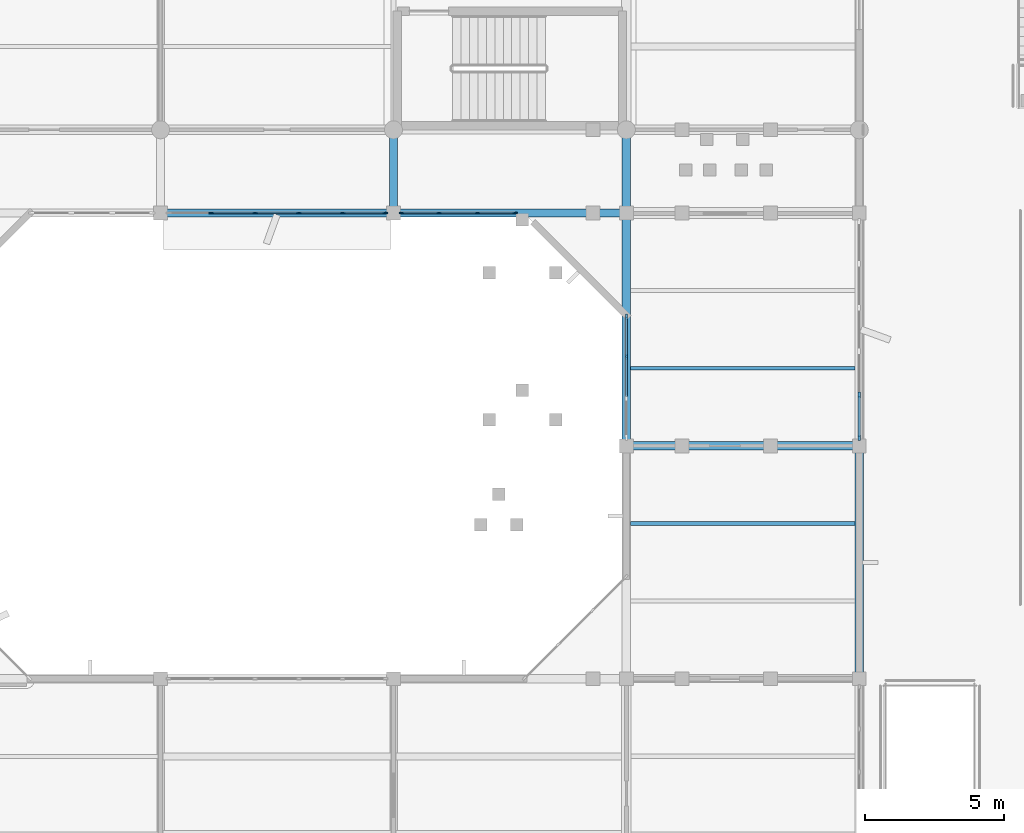
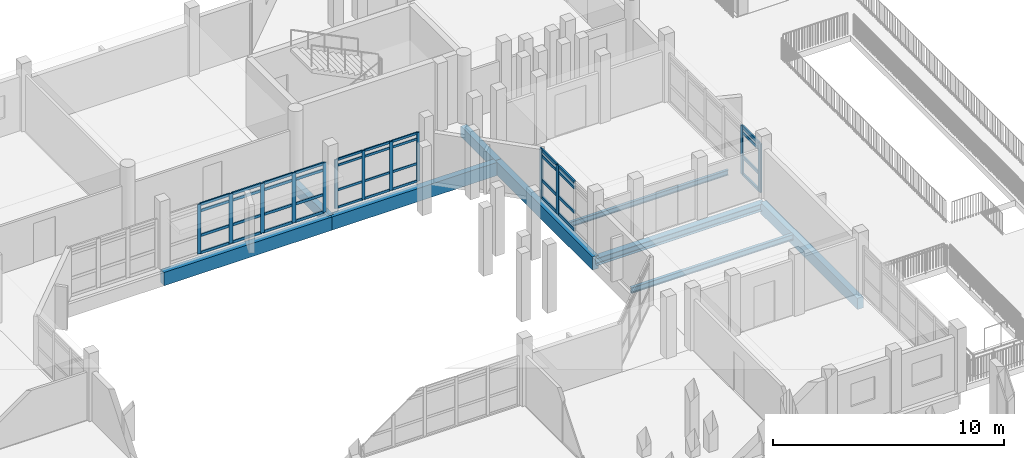
# One storey, part 20 of 104: 53 members, 9 beams, 4 elements without a shape of their own.
"""IFC4 building model written with IfcOpenShell, lengths in metres."""

from ifc_helpers import new_model, si_unit, direction, frame, origin, origin_2d, place, context, subcontext, project, spatial, rectangle, i_section, extrude, material, material_profile, profile_set, type_object, element, aggregate, save


model = new_model("IFC4")

# Units and contexts
model_context = context("Model", 3, precision=1e-05, world=origin(), true_north=direction((0.0, 1.0)))
body_context = subcontext(model_context, "Body", "Model", "MODEL_VIEW")
ifc_project = project(units=[si_unit("LENGTHUNIT", "METRE"), si_unit("AREAUNIT", "SQUARE_METRE"), si_unit("VOLUMEUNIT", "CUBIC_METRE"), si_unit("PLANEANGLEUNIT", "RADIAN"), si_unit("MASSUNIT", "GRAM", prefix="KILO")], contexts=[model_context])

# Site, building, storey
site_placement = place(None, origin())
site = spatial("IfcSite", under=ifc_project, at=site_placement, CompositionType="ELEMENT")
building_placement = place(site_placement, origin())
building = spatial("IfcBuilding", under=site, at=building_placement, Name="Vanh Quang Courtyard School", CompositionType="ELEMENT")
storey_placement = place(building_placement, frame((0.0, 0.0, 4.199951171875)))
storey = spatial("IfcBuildingStorey", under=building, at=storey_placement, Name="L01", CompositionType="ELEMENT", Elevation=4.199951171875)

# Beams
ifc_material_1 = material(Name="Concrete C35/45", Category="concrete")
ifc_material_profile_1 = material_profile(ifc_material_1, rectangle(XDim=0.300048828125, YDim=0.550048828125, at=origin_2d()), Name="RC-BM 300x550")
ifc_profile_set_1 = profile_set([ifc_material_profile_1], Name="Concrete C35/45")
beam_type_1 = type_object("IfcBeamType", Name="BM-RC-300x550", PredefinedType="BEAM", material=ifc_profile_set_1)
for number, where, z_axis, x_axis, name in (
    (1, (102.60009765625, 29.39990234375, -0.554931640625), (0.0, 1.0, 0.0), (-1.0, 0.0, 0.0), "Beam B-07 (L01)"),
    (2, (111.0, 29.39990234375, -0.554931640625), (0.0, 1.0, 0.0), (-1.0, 0.0, 0.0), "Beam B-07 (L01)"),
):
    element("IfcBeam", number, at=place(storey_placement, frame(where, z_axis=z_axis, x_axis=x_axis)), inside=storey, type_object=beam_type_1, Name=name, PredefinedType="BEAM", context=body_context, shape_type="SweptSolid", body=[
        extrude(rectangle(XDim=0.300048828125, YDim=0.550048828125, at=origin_2d()), origin(), (0.0, 0.0, 1.0), 3.0),
    ])
ifc_material_profile_2 = material_profile(ifc_material_1, rectangle(XDim=0.300048828125, YDim=0.60009765625, at=origin_2d()), Name="RC-BM 300x600")
ifc_profile_set_2 = profile_set([ifc_material_profile_2], Name="Concrete C35/45")
beam_type_2 = type_object("IfcBeamType", Name="BM-RC-300x600", PredefinedType="BEAM", material=ifc_profile_set_2)
beam_1_placement = place(storey_placement, frame((119.39990234375, 12.60009765625, -0.619873046875), z_axis=(0.0, 1.0, 0.0), x_axis=(-1.0, 0.0, 0.0)))
element("IfcBeam", 3, at=beam_1_placement, inside=storey, type_object=beam_type_2, Name="Beam B-06 (L01)", PredefinedType="BEAM", context=body_context, shape_type="SweptSolid", body=[
    extrude(rectangle(XDim=0.300048828125, YDim=0.60009765625, at=origin_2d()), origin(), (0.0, 0.0, 1.0), 8.39990234375),
])
ifc_material_profile_3 = material_profile(ifc_material_1, rectangle(XDim=0.300048828125, YDim=0.699951171875, at=origin_2d()), Name="RC-SP 300x700")
ifc_profile_set_3 = profile_set([ifc_material_profile_3], Name="Concrete C35/45")
beam_type_3 = type_object("IfcBeamType", Name="BM-SP-300x700", PredefinedType="SPANDREL", material=ifc_profile_set_3)
beam_2_placement = place(storey_placement, frame((94.199951171875, 29.39990234375, -0.6298828125), z_axis=(1.0, 0.0, 0.0), x_axis=(0.0, 1.0, 0.0)))
element("IfcBeam", 4, at=beam_2_placement, inside=storey, type_object=beam_type_3, Name="Beam BS-01 (L01)", PredefinedType="SPANDREL", context=body_context, shape_type="SweptSolid", body=[
    extrude(rectangle(XDim=0.300048828125, YDim=0.699951171875, at=origin_2d()), origin(), (0.0, 0.0, 1.0), 8.400146484375),
])
for number, where, z_axis, x_axis, name in (
    (5, (102.60009765625, 29.39990234375, -0.6298828125), (1.0, 0.0, 0.0), (0.0, 1.0, 0.0), "Beam BS-01 (L01)"),
    (6, (111.0, 21.0, -0.6298828125), (0.0, 1.0, 0.0), (-1.0, 0.0, 0.0), "Beam BS-01 (L01)"),
):
    element("IfcBeam", number, at=place(storey_placement, frame(where, z_axis=z_axis, x_axis=x_axis)), inside=storey, type_object=beam_type_3, Name=name, PredefinedType="SPANDREL", context=body_context, shape_type="SweptSolid", body=[
        extrude(rectangle(XDim=0.300048828125, YDim=0.699951171875, at=origin_2d()), origin(), (0.0, 0.0, 1.0), 8.39990234375),
    ])
ifc_material_2 = material(Name="Structural steel EN 10025-2 S355J2", Category="steel")
ifc_material_profile_4 = material_profile(ifc_material_2, i_section(OverallWidth=0.300048828125, OverallDepth=0.389892578125, WebThickness=0.010986328125, FlangeThickness=0.01904296875, FilletRadius=0.027099609375, at=origin_2d()), Name="HEA 400")
ifc_profile_set_4 = profile_set([ifc_material_profile_4], Name="Structural steel EN 10025-2 S355J2")
beam_type_4 = type_object("IfcBeamType", Name="BM-STL-HEA400", PredefinedType="BEAM", material=ifc_profile_set_4)
beam_3_placement = place(storey_placement, frame((111.0, 21.0, -0.514892578125), z_axis=(1.0, 0.0, 0.0), x_axis=(0.0, 1.0, 0.0)))
element("IfcBeam", 7, at=beam_3_placement, inside=storey, type_object=beam_type_4, Name="Beam SB-08 (L01)", PredefinedType="BEAM", context=body_context, shape_type="SweptSolid", body=[
    extrude(i_section(OverallWidth=0.300048828125, OverallDepth=0.389892578125, WebThickness=0.010986328125, FlangeThickness=0.01904296875, FilletRadius=0.027099609375, at=origin_2d()), origin(), (0.0, 0.0, 1.0), 8.39990234375),
])

# Curtain wall, members
ifc_material_3 = material(Name="Thermally broken aluminium unitised curtain wall", Category="aluminium")
curtain_wall_type_1 = type_object("IfcCurtainWallType", Name="CW-SYS-39", PredefinedType="NOTDEFINED", material=ifc_material_3)
curtain_wall_1_placement = place(storey_placement, origin())
curtain_wall_1 = element("IfcCurtainWall", 8, at=curtain_wall_1_placement, inside=storey, type_object=curtain_wall_type_1, Name="Curtain Wall CW-39 (L01)", PredefinedType="NOTDEFINED")
ifc_material_4 = material(Name="Anodised aluminium 6063-T6", Category="aluminium")
ifc_material_profile_5 = material_profile(ifc_material_4, rectangle(XDim=0.06005859375, YDim=0.159912109375, at=origin_2d()), Name="ALU-MUL 60x160")
ifc_profile_set_5 = profile_set([ifc_material_profile_5], Name="Anodised aluminium 6063-T6")
member_type_1 = type_object("IfcMemberType", Name="CW-MUL-60x160", PredefinedType="MULLION", material=ifc_profile_set_5)
member_1_placement = place(storey_placement, frame((106.987060546875, 29.39990234375, 0.0), z_axis=(0.0, 0.0, 1.0), x_axis=(0.0, -1.0, 0.0)))
member_1 = element("IfcMember", 9, at=member_1_placement, type_object=member_type_1, Name="CW-39 mullion 1", PredefinedType="MULLION", context=body_context, shape_type="SweptSolid", body=[
    extrude(rectangle(XDim=0.06005859375, YDim=0.159912109375, at=origin_2d()), origin(), (0.0, 0.0, 1.0), 2.580078125),
])
member_2_placement = place(storey_placement, frame((105.630615234375, 29.39990234375, 0.0), z_axis=(0.0, 0.0, 1.0), x_axis=(0.0, -1.0, 0.0)))
member_2 = element("IfcMember", 10, at=member_2_placement, type_object=member_type_1, Name="CW-39 mullion 2", PredefinedType="MULLION", context=body_context, shape_type="SweptSolid", body=[
    extrude(rectangle(XDim=0.06005859375, YDim=0.159912109375, at=origin_2d()), origin(), (0.0, 0.0, 1.0), 2.580078125),
])
member_3_placement = place(storey_placement, frame((104.244384765625, 29.39990234375, 0.0), z_axis=(0.0, 0.0, 1.0), x_axis=(0.0, -1.0, 0.0)))
member_3 = element("IfcMember", 11, at=member_3_placement, type_object=member_type_1, Name="CW-39 mullion 3", PredefinedType="MULLION", context=body_context, shape_type="SweptSolid", body=[
    extrude(rectangle(XDim=0.06005859375, YDim=0.159912109375, at=origin_2d()), origin(), (0.0, 0.0, 1.0), 2.580078125),
])
member_4_placement = place(storey_placement, frame((102.887939453125, 29.39990234375, 0.0), z_axis=(0.0, 0.0, 1.0), x_axis=(0.0, -1.0, 0.0)))
member_4 = element("IfcMember", 12, at=member_4_placement, type_object=member_type_1, Name="CW-39 mullion 4", PredefinedType="MULLION", context=body_context, shape_type="SweptSolid", body=[
    extrude(rectangle(XDim=0.06005859375, YDim=0.159912109375, at=origin_2d()), origin(), (0.0, 0.0, 1.0), 2.580078125),
])

curtain_wall_type_2 = type_object("IfcCurtainWallType", Name="CW-SYS-19", PredefinedType="NOTDEFINED", material=ifc_material_3)
curtain_wall_2_placement = place(storey_placement, origin())
curtain_wall_2 = element("IfcCurtainWall", 13, at=curtain_wall_2_placement, inside=storey, type_object=curtain_wall_type_2, Name="Curtain Wall CW-19 (L01)", PredefinedType="NOTDEFINED")
ifc_material_profile_6 = material_profile(ifc_material_4, rectangle(XDim=0.070068359375, YDim=0.179931640625, at=origin_2d()), Name="ALU-MUL 70x180")
ifc_profile_set_6 = profile_set([ifc_material_profile_6], Name="Anodised aluminium 6063-T6")
member_type_2 = type_object("IfcMemberType", Name="CW-MUL-70x180", PredefinedType="MULLION", material=ifc_profile_set_6)
member_5_placement = place(storey_placement, frame((102.306884765625, 29.39990234375, 0.0), z_axis=(0.0, 0.0, 1.0), x_axis=(0.0, -1.0, 0.0)))
member_5 = element("IfcMember", 14, at=member_5_placement, type_object=member_type_2, Name="CW-19 mullion 1", PredefinedType="MULLION", context=body_context, shape_type="SweptSolid", body=[
    extrude(rectangle(XDim=0.070068359375, YDim=0.179931640625, at=origin_2d()), origin(), (0.0, 0.0, 1.0), 2.6201171875),
])
member_6_placement = place(storey_placement, frame((100.76513671875, 29.39990234375, 0.0), z_axis=(0.0, 0.0, 1.0), x_axis=(0.0, -1.0, 0.0)))
member_6 = element("IfcMember", 15, at=member_6_placement, type_object=member_type_2, Name="CW-19 mullion 2", PredefinedType="MULLION", context=body_context, shape_type="SweptSolid", body=[
    extrude(rectangle(XDim=0.070068359375, YDim=0.179931640625, at=origin_2d()), origin(), (0.0, 0.0, 1.0), 2.6201171875),
])
member_7_placement = place(storey_placement, frame((99.1884765625, 29.39990234375, 0.0), z_axis=(0.0, 0.0, 1.0), x_axis=(0.0, -1.0, 0.0)))
member_7 = element("IfcMember", 16, at=member_7_placement, type_object=member_type_2, Name="CW-19 mullion 3", PredefinedType="MULLION", context=body_context, shape_type="SweptSolid", body=[
    extrude(rectangle(XDim=0.070068359375, YDim=0.179931640625, at=origin_2d()), origin(), (0.0, 0.0, 1.0), 2.6201171875),
])
member_8_placement = place(storey_placement, frame((97.611572265625, 29.39990234375, 0.0), z_axis=(0.0, 0.0, 1.0), x_axis=(0.0, -1.0, 0.0)))
member_8 = element("IfcMember", 17, at=member_8_placement, type_object=member_type_2, Name="CW-19 mullion 4", PredefinedType="MULLION", context=body_context, shape_type="SweptSolid", body=[
    extrude(rectangle(XDim=0.070068359375, YDim=0.179931640625, at=origin_2d()), origin(), (0.0, 0.0, 1.0), 2.6201171875),
])
member_9_placement = place(storey_placement, frame((96.034912109375, 29.39990234375, 0.0), z_axis=(0.0, 0.0, 1.0), x_axis=(0.0, -1.0, 0.0)))
member_9 = element("IfcMember", 18, at=member_9_placement, type_object=member_type_2, Name="CW-19 mullion 5", PredefinedType="MULLION", context=body_context, shape_type="SweptSolid", body=[
    extrude(rectangle(XDim=0.070068359375, YDim=0.179931640625, at=origin_2d()), origin(), (0.0, 0.0, 1.0), 2.6201171875),
])

curtain_wall_3_placement = place(storey_placement, origin())
curtain_wall_3 = element("IfcCurtainWall", 19, at=curtain_wall_3_placement, inside=storey, type_object=curtain_wall_type_2, Name="Curtain Wall CW-19 (L01)", PredefinedType="NOTDEFINED")
ifc_material_profile_7 = material_profile(ifc_material_4, rectangle(XDim=0.080078125, YDim=0.199951171875, at=origin_2d()), Name="ALU-MUL 80x200")
ifc_profile_set_7 = profile_set([ifc_material_profile_7], Name="Anodised aluminium 6063-T6")
member_type_3 = type_object("IfcMemberType", Name="CW-MUL-80x200", PredefinedType="MULLION", material=ifc_profile_set_7)
member_10_placement = place(storey_placement, frame((119.39990234375, 22.834716796875, 0.0), z_axis=(0.0, 0.0, 1.0), x_axis=(1.0, 0.0, 0.0)))
member_10 = element("IfcMember", 20, at=member_10_placement, type_object=member_type_3, Name="CW-19 mullion 5", PredefinedType="MULLION", context=body_context, shape_type="SweptSolid", body=[
    extrude(rectangle(XDim=0.080078125, YDim=0.199951171875, at=origin_2d()), origin(), (0.0, 0.0, 1.0), 2.580078125),
])
member_11_placement = place(storey_placement, frame((119.39990234375, 21.298095703125, 0.0), z_axis=(0.0, 0.0, 1.0), x_axis=(1.0, 0.0, 0.0)))
member_11 = element("IfcMember", 21, at=member_11_placement, type_object=member_type_3, Name="CW-19 mullion 6", PredefinedType="MULLION", context=body_context, shape_type="SweptSolid", body=[
    extrude(rectangle(XDim=0.080078125, YDim=0.199951171875, at=origin_2d()), origin(), (0.0, 0.0, 1.0), 2.580078125),
])

curtain_wall_type_3 = type_object("IfcCurtainWallType", Name="CW-SYS-38", PredefinedType="NOTDEFINED", material=ifc_material_3)
curtain_wall_4_placement = place(storey_placement, origin())
curtain_wall_4 = element("IfcCurtainWall", 22, at=curtain_wall_4_placement, inside=storey, type_object=curtain_wall_type_3, Name="Curtain Wall CW-38 (L01)", PredefinedType="NOTDEFINED")
member_12_placement = place(storey_placement, frame((111.0, 24.221923828125, 0.0), z_axis=(0.0, 0.0, 1.0), x_axis=(-1.0, 0.0, 0.0)))
member_12 = element("IfcMember", 23, at=member_12_placement, type_object=member_type_3, Name="CW-38 mullion 3", PredefinedType="MULLION", context=body_context, shape_type="SweptSolid", body=[
    extrude(rectangle(XDim=0.080078125, YDim=0.199951171875, at=origin_2d()), origin(), (0.0, 0.0, 1.0), 2.580078125),
])
member_13_placement = place(storey_placement, frame((111.0, 25.6640625, 0.0), z_axis=(0.0, 0.0, 1.0), x_axis=(-1.0, 0.0, 0.0)))
member_13 = element("IfcMember", 24, at=member_13_placement, type_object=member_type_3, Name="CW-38 mullion 4", PredefinedType="MULLION", context=body_context, shape_type="SweptSolid", body=[
    extrude(rectangle(XDim=0.080078125, YDim=0.199951171875, at=origin_2d()), origin(), (0.0, 0.0, 1.0), 2.580078125),
])

# Member
ifc_material_profile_8 = material_profile(ifc_material_4, rectangle(XDim=0.06005859375, YDim=0.1201171875, at=origin_2d()), Name="ALU-TRN 60x120")
ifc_profile_set_8 = profile_set([ifc_material_profile_8], Name="Anodised aluminium 6063-T6")
member_type_4 = type_object("IfcMemberType", Name="CW-TRN-60x120", PredefinedType="USERDEFINED", material=ifc_profile_set_8)
member_14_placement = place(storey_placement, frame((106.95703125, 29.39990234375, 0.030029296875), z_axis=(-1.0, 0.0, 0.0), x_axis=(0.0, -1.0, 0.0)))
member_14 = element("IfcMember", 25, at=member_14_placement, type_object=member_type_4, Name="CW-39 transom 1.1", ObjectType="TRANSOM", PredefinedType="USERDEFINED", context=body_context, shape_type="SweptSolid", body=[
    extrude(rectangle(XDim=0.06005859375, YDim=0.1201171875, at=origin_2d()), origin(), (0.0, 0.0, 1.0), 1.29638671875),
])

member_15_placement = place(storey_placement, frame((106.95703125, 29.39990234375, 0.949951171875), z_axis=(-1.0, 0.0, 0.0), x_axis=(0.0, -1.0, 0.0)))
member_15 = element("IfcMember", 26, at=member_15_placement, type_object=member_type_4, Name="CW-39 transom 1.2", ObjectType="TRANSOM", PredefinedType="USERDEFINED", context=body_context, shape_type="SweptSolid", body=[
    extrude(rectangle(XDim=0.06005859375, YDim=0.1201171875, at=origin_2d()), origin(), (0.0, 0.0, 1.0), 1.29638671875),
])

member_16_placement = place(storey_placement, frame((106.95703125, 29.39990234375, 2.25), z_axis=(-1.0, 0.0, 0.0), x_axis=(0.0, -1.0, 0.0)))
member_16 = element("IfcMember", 27, at=member_16_placement, type_object=member_type_4, Name="CW-39 transom 1.3", ObjectType="TRANSOM", PredefinedType="USERDEFINED", context=body_context, shape_type="SweptSolid", body=[
    extrude(rectangle(XDim=0.06005859375, YDim=0.1201171875, at=origin_2d()), origin(), (0.0, 0.0, 1.0), 1.29638671875),
])

member_17_placement = place(storey_placement, frame((106.95703125, 29.39990234375, 2.550048828125), z_axis=(-1.0, 0.0, 0.0), x_axis=(0.0, -1.0, 0.0)))
member_17 = element("IfcMember", 28, at=member_17_placement, type_object=member_type_4, Name="CW-39 transom 1.4", ObjectType="TRANSOM", PredefinedType="USERDEFINED", context=body_context, shape_type="SweptSolid", body=[
    extrude(rectangle(XDim=0.06005859375, YDim=0.1201171875, at=origin_2d()), origin(), (0.0, 0.0, 1.0), 1.29638671875),
])

member_18_placement = place(storey_placement, frame((105.6005859375, 29.39990234375, 0.030029296875), z_axis=(-1.0, 0.0, 0.0), x_axis=(0.0, -1.0, 0.0)))
member_18 = element("IfcMember", 29, at=member_18_placement, type_object=member_type_4, Name="CW-39 transom 2.1", ObjectType="TRANSOM", PredefinedType="USERDEFINED", context=body_context, shape_type="SweptSolid", body=[
    extrude(rectangle(XDim=0.06005859375, YDim=0.1201171875, at=origin_2d()), origin(), (0.0, 0.0, 1.0), 1.326171875),
])

member_19_placement = place(storey_placement, frame((105.6005859375, 29.39990234375, 0.949951171875), z_axis=(-1.0, 0.0, 0.0), x_axis=(0.0, -1.0, 0.0)))
member_19 = element("IfcMember", 30, at=member_19_placement, type_object=member_type_4, Name="CW-39 transom 2.2", ObjectType="TRANSOM", PredefinedType="USERDEFINED", context=body_context, shape_type="SweptSolid", body=[
    extrude(rectangle(XDim=0.06005859375, YDim=0.1201171875, at=origin_2d()), origin(), (0.0, 0.0, 1.0), 1.326171875),
])

member_20_placement = place(storey_placement, frame((105.6005859375, 29.39990234375, 2.25), z_axis=(-1.0, 0.0, 0.0), x_axis=(0.0, -1.0, 0.0)))
member_20 = element("IfcMember", 31, at=member_20_placement, type_object=member_type_4, Name="CW-39 transom 2.3", ObjectType="TRANSOM", PredefinedType="USERDEFINED", context=body_context, shape_type="SweptSolid", body=[
    extrude(rectangle(XDim=0.06005859375, YDim=0.1201171875, at=origin_2d()), origin(), (0.0, 0.0, 1.0), 1.326171875),
])

member_21_placement = place(storey_placement, frame((105.6005859375, 29.39990234375, 2.550048828125), z_axis=(-1.0, 0.0, 0.0), x_axis=(0.0, -1.0, 0.0)))
member_21 = element("IfcMember", 32, at=member_21_placement, type_object=member_type_4, Name="CW-39 transom 2.4", ObjectType="TRANSOM", PredefinedType="USERDEFINED", context=body_context, shape_type="SweptSolid", body=[
    extrude(rectangle(XDim=0.06005859375, YDim=0.1201171875, at=origin_2d()), origin(), (0.0, 0.0, 1.0), 1.326171875),
])

member_22_placement = place(storey_placement, frame((104.21435546875, 29.39990234375, 0.030029296875), z_axis=(-1.0, 0.0, 0.0), x_axis=(0.0, -1.0, 0.0)))
member_22 = element("IfcMember", 33, at=member_22_placement, type_object=member_type_4, Name="CW-39 transom 3.1", ObjectType="TRANSOM", PredefinedType="USERDEFINED", context=body_context, shape_type="SweptSolid", body=[
    extrude(rectangle(XDim=0.06005859375, YDim=0.1201171875, at=origin_2d()), origin(), (0.0, 0.0, 1.0), 1.29638671875),
])

member_23_placement = place(storey_placement, frame((104.21435546875, 29.39990234375, 0.949951171875), z_axis=(-1.0, 0.0, 0.0), x_axis=(0.0, -1.0, 0.0)))
member_23 = element("IfcMember", 34, at=member_23_placement, type_object=member_type_4, Name="CW-39 transom 3.2", ObjectType="TRANSOM", PredefinedType="USERDEFINED", context=body_context, shape_type="SweptSolid", body=[
    extrude(rectangle(XDim=0.06005859375, YDim=0.1201171875, at=origin_2d()), origin(), (0.0, 0.0, 1.0), 1.29638671875),
])

member_24_placement = place(storey_placement, frame((104.21435546875, 29.39990234375, 2.25), z_axis=(-1.0, 0.0, 0.0), x_axis=(0.0, -1.0, 0.0)))
member_24 = element("IfcMember", 35, at=member_24_placement, type_object=member_type_4, Name="CW-39 transom 3.3", ObjectType="TRANSOM", PredefinedType="USERDEFINED", context=body_context, shape_type="SweptSolid", body=[
    extrude(rectangle(XDim=0.06005859375, YDim=0.1201171875, at=origin_2d()), origin(), (0.0, 0.0, 1.0), 1.29638671875),
])

member_25_placement = place(storey_placement, frame((104.21435546875, 29.39990234375, 2.550048828125), z_axis=(-1.0, 0.0, 0.0), x_axis=(0.0, -1.0, 0.0)))
member_25 = element("IfcMember", 36, at=member_25_placement, type_object=member_type_4, Name="CW-39 transom 3.4", ObjectType="TRANSOM", PredefinedType="USERDEFINED", context=body_context, shape_type="SweptSolid", body=[
    extrude(rectangle(XDim=0.06005859375, YDim=0.1201171875, at=origin_2d()), origin(), (0.0, 0.0, 1.0), 1.29638671875),
])

aggregate(curtain_wall_1, [member_1, member_2, member_3, member_4, member_14, member_15, member_16, member_17, member_18, member_19, member_20, member_21, member_22, member_23, member_24, member_25])

ifc_material_profile_9 = material_profile(ifc_material_4, rectangle(XDim=0.070068359375, YDim=0.139892578125, at=origin_2d()), Name="ALU-TRN 70x140")
ifc_profile_set_9 = profile_set([ifc_material_profile_9], Name="Anodised aluminium 6063-T6")
member_type_5 = type_object("IfcMemberType", Name="CW-TRN-70x140", PredefinedType="USERDEFINED", material=ifc_profile_set_9)
member_26_placement = place(storey_placement, frame((102.27197265625, 29.39990234375, 0.03515625), z_axis=(-1.0, 0.0, 0.0), x_axis=(0.0, -1.0, 0.0)))
member_26 = element("IfcMember", 37, at=member_26_placement, type_object=member_type_5, Name="CW-19 transom 1.1", ObjectType="TRANSOM", PredefinedType="USERDEFINED", context=body_context, shape_type="SweptSolid", body=[
    extrude(rectangle(XDim=0.070068359375, YDim=0.139892578125, at=origin_2d()), origin(), (0.0, 0.0, 1.0), 1.4716796875),
])

member_27_placement = place(storey_placement, frame((102.27197265625, 29.39990234375, 0.949951171875), z_axis=(-1.0, 0.0, 0.0), x_axis=(0.0, -1.0, 0.0)))
member_27 = element("IfcMember", 38, at=member_27_placement, type_object=member_type_5, Name="CW-19 transom 1.2", ObjectType="TRANSOM", PredefinedType="USERDEFINED", context=body_context, shape_type="SweptSolid", body=[
    extrude(rectangle(XDim=0.070068359375, YDim=0.139892578125, at=origin_2d()), origin(), (0.0, 0.0, 1.0), 1.4716796875),
])

member_28_placement = place(storey_placement, frame((102.27197265625, 29.39990234375, 2.25), z_axis=(-1.0, 0.0, 0.0), x_axis=(0.0, -1.0, 0.0)))
member_28 = element("IfcMember", 39, at=member_28_placement, type_object=member_type_5, Name="CW-19 transom 1.3", ObjectType="TRANSOM", PredefinedType="USERDEFINED", context=body_context, shape_type="SweptSolid", body=[
    extrude(rectangle(XDim=0.070068359375, YDim=0.139892578125, at=origin_2d()), origin(), (0.0, 0.0, 1.0), 1.4716796875),
])

member_29_placement = place(storey_placement, frame((102.27197265625, 29.39990234375, 2.5849609375), z_axis=(-1.0, 0.0, 0.0), x_axis=(0.0, -1.0, 0.0)))
member_29 = element("IfcMember", 40, at=member_29_placement, type_object=member_type_5, Name="CW-19 transom 1.4", ObjectType="TRANSOM", PredefinedType="USERDEFINED", context=body_context, shape_type="SweptSolid", body=[
    extrude(rectangle(XDim=0.070068359375, YDim=0.139892578125, at=origin_2d()), origin(), (0.0, 0.0, 1.0), 1.4716796875),
])

member_30_placement = place(storey_placement, frame((100.730224609375, 29.39990234375, 0.03515625), z_axis=(-1.0, 0.0, 0.0), x_axis=(0.0, -1.0, 0.0)))
member_30 = element("IfcMember", 41, at=member_30_placement, type_object=member_type_5, Name="CW-19 transom 2.1", ObjectType="TRANSOM", PredefinedType="USERDEFINED", context=body_context, shape_type="SweptSolid", body=[
    extrude(rectangle(XDim=0.070068359375, YDim=0.139892578125, at=origin_2d()), origin(), (0.0, 0.0, 1.0), 1.5068359375),
])

member_31_placement = place(storey_placement, frame((100.730224609375, 29.39990234375, 0.949951171875), z_axis=(-1.0, 0.0, 0.0), x_axis=(0.0, -1.0, 0.0)))
member_31 = element("IfcMember", 42, at=member_31_placement, type_object=member_type_5, Name="CW-19 transom 2.2", ObjectType="TRANSOM", PredefinedType="USERDEFINED", context=body_context, shape_type="SweptSolid", body=[
    extrude(rectangle(XDim=0.070068359375, YDim=0.139892578125, at=origin_2d()), origin(), (0.0, 0.0, 1.0), 1.5068359375),
])

member_32_placement = place(storey_placement, frame((100.730224609375, 29.39990234375, 2.25), z_axis=(-1.0, 0.0, 0.0), x_axis=(0.0, -1.0, 0.0)))
member_32 = element("IfcMember", 43, at=member_32_placement, type_object=member_type_5, Name="CW-19 transom 2.3", ObjectType="TRANSOM", PredefinedType="USERDEFINED", context=body_context, shape_type="SweptSolid", body=[
    extrude(rectangle(XDim=0.070068359375, YDim=0.139892578125, at=origin_2d()), origin(), (0.0, 0.0, 1.0), 1.5068359375),
])

member_33_placement = place(storey_placement, frame((100.730224609375, 29.39990234375, 2.5849609375), z_axis=(-1.0, 0.0, 0.0), x_axis=(0.0, -1.0, 0.0)))
member_33 = element("IfcMember", 44, at=member_33_placement, type_object=member_type_5, Name="CW-19 transom 2.4", ObjectType="TRANSOM", PredefinedType="USERDEFINED", context=body_context, shape_type="SweptSolid", body=[
    extrude(rectangle(XDim=0.070068359375, YDim=0.139892578125, at=origin_2d()), origin(), (0.0, 0.0, 1.0), 1.5068359375),
])

member_34_placement = place(storey_placement, frame((99.1533203125, 29.39990234375, 0.03515625), z_axis=(-1.0, 0.0, 0.0), x_axis=(0.0, -1.0, 0.0)))
member_34 = element("IfcMember", 45, at=member_34_placement, type_object=member_type_5, Name="CW-19 transom 3.1", ObjectType="TRANSOM", PredefinedType="USERDEFINED", context=body_context, shape_type="SweptSolid", body=[
    extrude(rectangle(XDim=0.070068359375, YDim=0.139892578125, at=origin_2d()), origin(), (0.0, 0.0, 1.0), 1.5068359375),
])

member_35_placement = place(storey_placement, frame((99.1533203125, 29.39990234375, 0.949951171875), z_axis=(-1.0, 0.0, 0.0), x_axis=(0.0, -1.0, 0.0)))
member_35 = element("IfcMember", 46, at=member_35_placement, type_object=member_type_5, Name="CW-19 transom 3.2", ObjectType="TRANSOM", PredefinedType="USERDEFINED", context=body_context, shape_type="SweptSolid", body=[
    extrude(rectangle(XDim=0.070068359375, YDim=0.139892578125, at=origin_2d()), origin(), (0.0, 0.0, 1.0), 1.5068359375),
])

member_36_placement = place(storey_placement, frame((99.1533203125, 29.39990234375, 2.25), z_axis=(-1.0, 0.0, 0.0), x_axis=(0.0, -1.0, 0.0)))
member_36 = element("IfcMember", 47, at=member_36_placement, type_object=member_type_5, Name="CW-19 transom 3.3", ObjectType="TRANSOM", PredefinedType="USERDEFINED", context=body_context, shape_type="SweptSolid", body=[
    extrude(rectangle(XDim=0.070068359375, YDim=0.139892578125, at=origin_2d()), origin(), (0.0, 0.0, 1.0), 1.5068359375),
])

member_37_placement = place(storey_placement, frame((99.1533203125, 29.39990234375, 2.5849609375), z_axis=(-1.0, 0.0, 0.0), x_axis=(0.0, -1.0, 0.0)))
member_37 = element("IfcMember", 48, at=member_37_placement, type_object=member_type_5, Name="CW-19 transom 3.4", ObjectType="TRANSOM", PredefinedType="USERDEFINED", context=body_context, shape_type="SweptSolid", body=[
    extrude(rectangle(XDim=0.070068359375, YDim=0.139892578125, at=origin_2d()), origin(), (0.0, 0.0, 1.0), 1.5068359375),
])

member_38_placement = place(storey_placement, frame((97.57666015625, 29.39990234375, 0.03515625), z_axis=(-1.0, 0.0, 0.0), x_axis=(0.0, -1.0, 0.0)))
member_38 = element("IfcMember", 49, at=member_38_placement, type_object=member_type_5, Name="CW-19 transom 4.1", ObjectType="TRANSOM", PredefinedType="USERDEFINED", context=body_context, shape_type="SweptSolid", body=[
    extrude(rectangle(XDim=0.070068359375, YDim=0.139892578125, at=origin_2d()), origin(), (0.0, 0.0, 1.0), 1.5068359375),
])

member_39_placement = place(storey_placement, frame((97.57666015625, 29.39990234375, 0.949951171875), z_axis=(-1.0, 0.0, 0.0), x_axis=(0.0, -1.0, 0.0)))
member_39 = element("IfcMember", 50, at=member_39_placement, type_object=member_type_5, Name="CW-19 transom 4.2", ObjectType="TRANSOM", PredefinedType="USERDEFINED", context=body_context, shape_type="SweptSolid", body=[
    extrude(rectangle(XDim=0.070068359375, YDim=0.139892578125, at=origin_2d()), origin(), (0.0, 0.0, 1.0), 1.5068359375),
])

member_40_placement = place(storey_placement, frame((97.57666015625, 29.39990234375, 2.25), z_axis=(-1.0, 0.0, 0.0), x_axis=(0.0, -1.0, 0.0)))
member_40 = element("IfcMember", 51, at=member_40_placement, type_object=member_type_5, Name="CW-19 transom 4.3", ObjectType="TRANSOM", PredefinedType="USERDEFINED", context=body_context, shape_type="SweptSolid", body=[
    extrude(rectangle(XDim=0.070068359375, YDim=0.139892578125, at=origin_2d()), origin(), (0.0, 0.0, 1.0), 1.5068359375),
])

member_41_placement = place(storey_placement, frame((97.57666015625, 29.39990234375, 2.5849609375), z_axis=(-1.0, 0.0, 0.0), x_axis=(0.0, -1.0, 0.0)))
member_41 = element("IfcMember", 52, at=member_41_placement, type_object=member_type_5, Name="CW-19 transom 4.4", ObjectType="TRANSOM", PredefinedType="USERDEFINED", context=body_context, shape_type="SweptSolid", body=[
    extrude(rectangle(XDim=0.070068359375, YDim=0.139892578125, at=origin_2d()), origin(), (0.0, 0.0, 1.0), 1.5068359375),
])

aggregate(curtain_wall_2, [member_5, member_6, member_7, member_8, member_9, member_26, member_27, member_28, member_29, member_30, member_31, member_32, member_33, member_34, member_35, member_36, member_37, member_38, member_39, member_40, member_41])

ifc_material_profile_10 = material_profile(ifc_material_4, rectangle(XDim=0.080078125, YDim=0.14990234375, at=origin_2d()), Name="ALU-TRN 80x150")
ifc_profile_set_10 = profile_set([ifc_material_profile_10], Name="Anodised aluminium 6063-T6")
member_type_6 = type_object("IfcMemberType", Name="CW-TRN-80x150", PredefinedType="USERDEFINED", material=ifc_profile_set_10)
member_42_placement = place(storey_placement, frame((119.39990234375, 22.794921875, 0.0400390625), z_axis=(0.0, -1.0, 0.0), x_axis=(1.0, 0.0, 0.0)))
member_42 = element("IfcMember", 53, at=member_42_placement, type_object=member_type_6, Name="CW-19 transom 5.1", ObjectType="TRANSOM", PredefinedType="USERDEFINED", context=body_context, shape_type="SweptSolid", body=[
    extrude(rectangle(XDim=0.080078125, YDim=0.14990234375, at=origin_2d()), origin(), (0.0, 0.0, 1.0), 1.45703125),
])

member_43_placement = place(storey_placement, frame((119.39990234375, 22.794921875, 0.949951171875), z_axis=(0.0, -1.0, 0.0), x_axis=(1.0, 0.0, 0.0)))
member_43 = element("IfcMember", 54, at=member_43_placement, type_object=member_type_6, Name="CW-19 transom 5.2", ObjectType="TRANSOM", PredefinedType="USERDEFINED", context=body_context, shape_type="SweptSolid", body=[
    extrude(rectangle(XDim=0.080078125, YDim=0.14990234375, at=origin_2d()), origin(), (0.0, 0.0, 1.0), 1.45703125),
])

member_44_placement = place(storey_placement, frame((119.39990234375, 22.794921875, 2.25), z_axis=(0.0, -1.0, 0.0), x_axis=(1.0, 0.0, 0.0)))
member_44 = element("IfcMember", 55, at=member_44_placement, type_object=member_type_6, Name="CW-19 transom 5.3", ObjectType="TRANSOM", PredefinedType="USERDEFINED", context=body_context, shape_type="SweptSolid", body=[
    extrude(rectangle(XDim=0.080078125, YDim=0.14990234375, at=origin_2d()), origin(), (0.0, 0.0, 1.0), 1.45703125),
])

member_45_placement = place(storey_placement, frame((119.39990234375, 22.794921875, 2.5400390625), z_axis=(0.0, -1.0, 0.0), x_axis=(1.0, 0.0, 0.0)))
member_45 = element("IfcMember", 56, at=member_45_placement, type_object=member_type_6, Name="CW-19 transom 5.4", ObjectType="TRANSOM", PredefinedType="USERDEFINED", context=body_context, shape_type="SweptSolid", body=[
    extrude(rectangle(XDim=0.080078125, YDim=0.14990234375, at=origin_2d()), origin(), (0.0, 0.0, 1.0), 1.45703125),
])

aggregate(curtain_wall_3, [member_10, member_11, member_42, member_43, member_44, member_45])

member_46_placement = place(storey_placement, frame((111.0, 22.780029296875, 0.0400390625), z_axis=(0.0, 1.0, 0.0), x_axis=(-1.0, 0.0, 0.0)))
member_46 = element("IfcMember", 57, at=member_46_placement, type_object=member_type_6, Name="CW-38 transom 2.1", ObjectType="TRANSOM", PredefinedType="USERDEFINED", context=body_context, shape_type="SweptSolid", body=[
    extrude(rectangle(XDim=0.080078125, YDim=0.14990234375, at=origin_2d()), origin(), (0.0, 0.0, 1.0), 1.40185546875),
])

member_47_placement = place(storey_placement, frame((111.0, 22.780029296875, 0.949951171875), z_axis=(0.0, 1.0, 0.0), x_axis=(-1.0, 0.0, 0.0)))
member_47 = element("IfcMember", 58, at=member_47_placement, type_object=member_type_6, Name="CW-38 transom 2.2", ObjectType="TRANSOM", PredefinedType="USERDEFINED", context=body_context, shape_type="SweptSolid", body=[
    extrude(rectangle(XDim=0.080078125, YDim=0.14990234375, at=origin_2d()), origin(), (0.0, 0.0, 1.0), 1.40185546875),
])

member_48_placement = place(storey_placement, frame((111.0, 22.780029296875, 2.25), z_axis=(0.0, 1.0, 0.0), x_axis=(-1.0, 0.0, 0.0)))
member_48 = element("IfcMember", 59, at=member_48_placement, type_object=member_type_6, Name="CW-38 transom 2.3", ObjectType="TRANSOM", PredefinedType="USERDEFINED", context=body_context, shape_type="SweptSolid", body=[
    extrude(rectangle(XDim=0.080078125, YDim=0.14990234375, at=origin_2d()), origin(), (0.0, 0.0, 1.0), 1.40185546875),
])

member_49_placement = place(storey_placement, frame((111.0, 22.780029296875, 2.5400390625), z_axis=(0.0, 1.0, 0.0), x_axis=(-1.0, 0.0, 0.0)))
member_49 = element("IfcMember", 60, at=member_49_placement, type_object=member_type_6, Name="CW-38 transom 2.4", ObjectType="TRANSOM", PredefinedType="USERDEFINED", context=body_context, shape_type="SweptSolid", body=[
    extrude(rectangle(XDim=0.080078125, YDim=0.14990234375, at=origin_2d()), origin(), (0.0, 0.0, 1.0), 1.40185546875),
])

member_50_placement = place(storey_placement, frame((111.0, 24.261962890625, 0.0400390625), z_axis=(0.0, 1.0, 0.0), x_axis=(-1.0, 0.0, 0.0)))
member_50 = element("IfcMember", 61, at=member_50_placement, type_object=member_type_6, Name="CW-38 transom 3.1", ObjectType="TRANSOM", PredefinedType="USERDEFINED", context=body_context, shape_type="SweptSolid", body=[
    extrude(rectangle(XDim=0.080078125, YDim=0.14990234375, at=origin_2d()), origin(), (0.0, 0.0, 1.0), 1.362060546875),
])

member_51_placement = place(storey_placement, frame((111.0, 24.261962890625, 0.949951171875), z_axis=(0.0, 1.0, 0.0), x_axis=(-1.0, 0.0, 0.0)))
member_51 = element("IfcMember", 62, at=member_51_placement, type_object=member_type_6, Name="CW-38 transom 3.2", ObjectType="TRANSOM", PredefinedType="USERDEFINED", context=body_context, shape_type="SweptSolid", body=[
    extrude(rectangle(XDim=0.080078125, YDim=0.14990234375, at=origin_2d()), origin(), (0.0, 0.0, 1.0), 1.362060546875),
])

member_52_placement = place(storey_placement, frame((111.0, 24.261962890625, 2.25), z_axis=(0.0, 1.0, 0.0), x_axis=(-1.0, 0.0, 0.0)))
member_52 = element("IfcMember", 63, at=member_52_placement, type_object=member_type_6, Name="CW-38 transom 3.3", ObjectType="TRANSOM", PredefinedType="USERDEFINED", context=body_context, shape_type="SweptSolid", body=[
    extrude(rectangle(XDim=0.080078125, YDim=0.14990234375, at=origin_2d()), origin(), (0.0, 0.0, 1.0), 1.362060546875),
])

member_53_placement = place(storey_placement, frame((111.0, 24.261962890625, 2.5400390625), z_axis=(0.0, 1.0, 0.0), x_axis=(-1.0, 0.0, 0.0)))
member_53 = element("IfcMember", 64, at=member_53_placement, type_object=member_type_6, Name="CW-38 transom 3.4", ObjectType="TRANSOM", PredefinedType="USERDEFINED", context=body_context, shape_type="SweptSolid", body=[
    extrude(rectangle(XDim=0.080078125, YDim=0.14990234375, at=origin_2d()), origin(), (0.0, 0.0, 1.0), 1.362060546875),
])

aggregate(curtain_wall_4, [member_12, member_13, member_46, member_47, member_48, member_49, member_50, member_51, member_52, member_53])

# Beams
ifc_material_profile_11 = material_profile(ifc_material_2, i_section(OverallWidth=0.135009765625, OverallDepth=0.27001953125, WebThickness=0.006591796875, FlangeThickness=0.01025390625, FilletRadius=0.014892578125, at=origin_2d()), Name="IPE 270")
ifc_profile_set_11 = profile_set([ifc_material_profile_11], Name="Structural steel EN 10025-2 S355J2")
beam_type_5 = type_object("IfcBeamType", Name="JST-STL-IPE270", PredefinedType="JOIST", material=ifc_profile_set_11)
beam_4_placement = place(storey_placement, frame((111.14990234375, 23.800048828125, -0.4150390625), z_axis=(1.0, 0.0, 0.0), x_axis=(0.0, 1.0, 0.0)))
element("IfcBeam", 65, at=beam_4_placement, inside=storey, type_object=beam_type_5, Name="Beam SJ-03 (L01)", PredefinedType="JOIST", context=body_context, shape_type="SweptSolid", body=[
    extrude(i_section(OverallWidth=0.135009765625, OverallDepth=0.27001953125, WebThickness=0.006591796875, FlangeThickness=0.01025390625, FilletRadius=0.014892578125, at=origin_2d()), origin(), (0.0, 0.0, 1.0), 8.10009765625),
])
ifc_material_profile_12 = material_profile(ifc_material_2, i_section(OverallWidth=0.14990234375, OverallDepth=0.300048828125, WebThickness=0.007080078125, FlangeThickness=0.0107421875, FilletRadius=0.014892578125, at=origin_2d()), Name="IPE 300")
ifc_profile_set_12 = profile_set([ifc_material_profile_12], Name="Structural steel EN 10025-2 S355J2")
beam_type_6 = type_object("IfcBeamType", Name="JST-STL-IPE300", PredefinedType="JOIST", material=ifc_profile_set_12)
beam_5_placement = place(storey_placement, frame((111.14990234375, 18.199951171875, -0.429931640625), z_axis=(1.0, 0.0, 0.0), x_axis=(0.0, 1.0, 0.0)))
element("IfcBeam", 66, at=beam_5_placement, inside=storey, type_object=beam_type_6, Name="Beam SJ-02 (L01)", PredefinedType="JOIST", context=body_context, shape_type="SweptSolid", body=[
    extrude(i_section(OverallWidth=0.14990234375, OverallDepth=0.300048828125, WebThickness=0.007080078125, FlangeThickness=0.0107421875, FilletRadius=0.014892578125, at=origin_2d()), origin(), (0.0, 0.0, 1.0), 8.10009765625),
])

save(model, "model.ifc")
